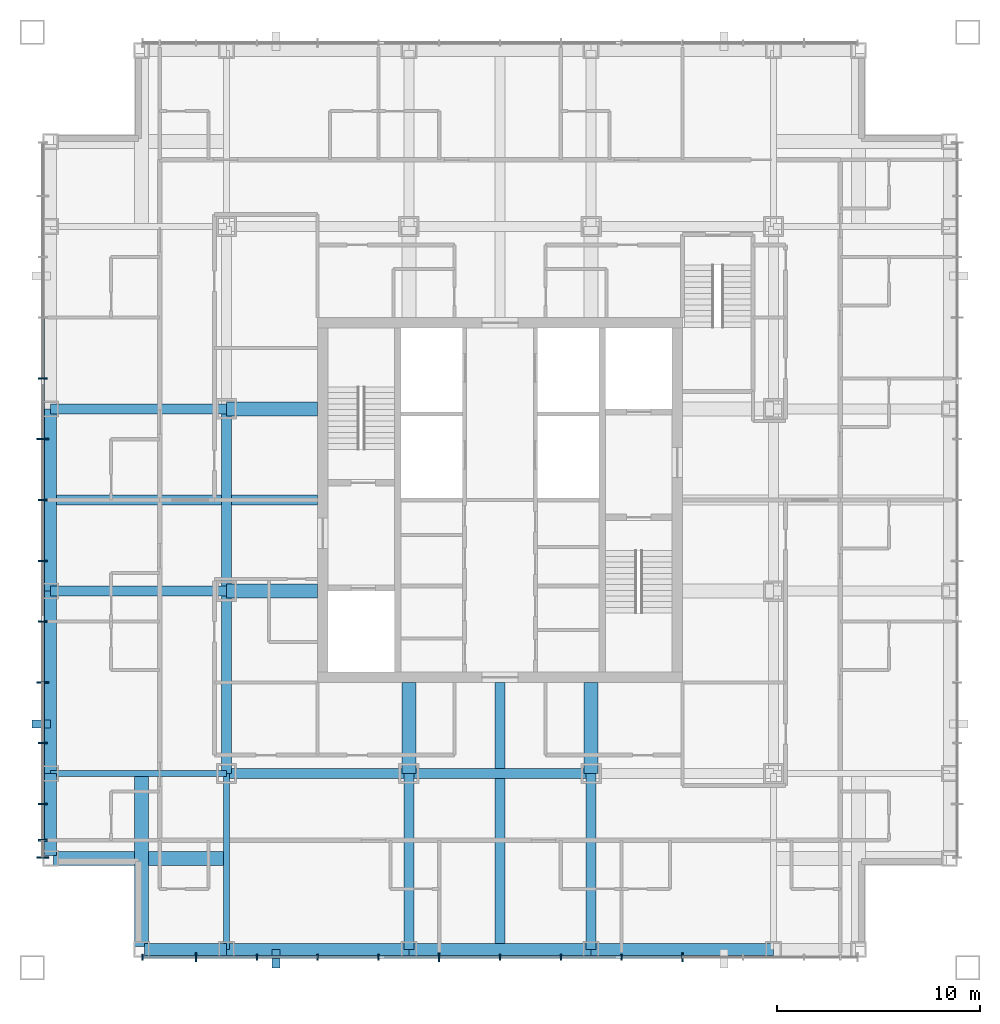
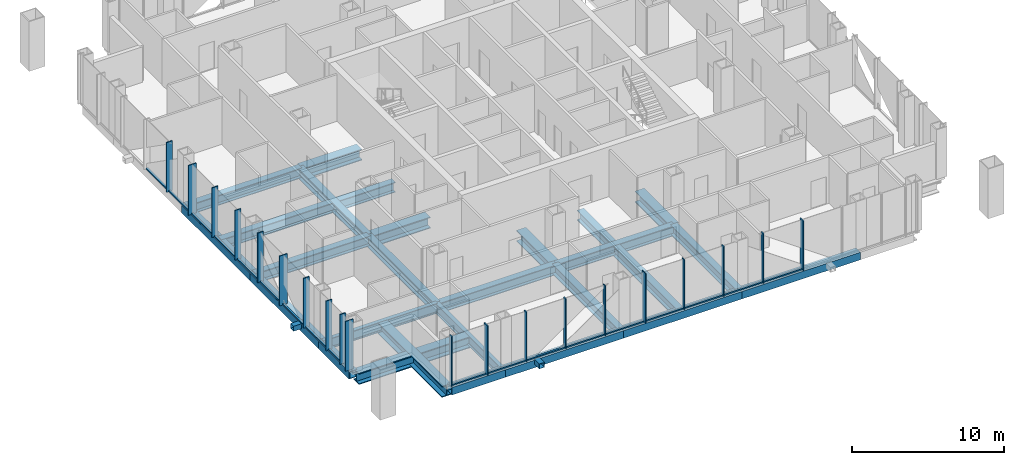
# One storey, part 2 of 17: 40 members, 25 beams, 2 elements without a shape of their own.
"""IFC4 building model written with IfcOpenShell, lengths in metres."""

from ifc_helpers import new_model, si_unit, direction, frame, origin, origin_2d, place, context, subcontext, project, spatial, rectangle, hollow_rectangle, i_section, extrude, material, layer, layer_set, material_profile, profile_set, type_object, element, aggregate, save


model = new_model("IFC4")

# Units and contexts
model_context = context("Model", 3, precision=1e-05, world=origin(), true_north=direction((0.0, 1.0)))
body_context = subcontext(model_context, "Body", "Model", "MODEL_VIEW")
ifc_project = project(units=[si_unit("LENGTHUNIT", "METRE"), si_unit("AREAUNIT", "SQUARE_METRE"), si_unit("VOLUMEUNIT", "CUBIC_METRE"), si_unit("PLANEANGLEUNIT", "RADIAN"), si_unit("MASSUNIT", "GRAM", prefix="KILO")], contexts=[model_context])

# Site, building, storey
site_placement = place(None, origin())
site = spatial("IfcSite", under=ifc_project, at=site_placement, CompositionType="ELEMENT")
building_placement = place(site_placement, origin())
building = spatial("IfcBuilding", under=site, at=building_placement, Name="Malebo Sky Hospital", CompositionType="ELEMENT")
storey_placement = place(building_placement, frame((0.0, 0.0, 185.0)))
storey = spatial("IfcBuildingStorey", under=building, at=storey_placement, Name="L44", CompositionType="ELEMENT", Elevation=185.0)

# Curtain wall, members
ifc_material_1 = material(Name="Anodised aluminium, natural silver", Category="aluminium")
ifc_layer_1 = layer(ifc_material_1, 0.25)
ifc_layer_set_1 = layer_set([ifc_layer_1], Name="WARD CURTAIN WALL EAST AND WEST")
curtain_wall_type_1 = type_object("IfcCurtainWallType", Name="WARD CURTAIN WALL EAST AND WEST", PredefinedType="NOTDEFINED", material=ifc_layer_set_1)
curtain_wall_1_placement = place(storey_placement, origin())
curtain_wall_1 = element("IfcCurtainWall", 1, at=curtain_wall_1_placement, inside=storey, type_object=curtain_wall_type_1, Name="EW curtain wall W", PredefinedType="NOTDEFINED")
ifc_material_profile_1 = material_profile(ifc_material_1, rectangle(XDim=0.14990234375, YDim=0.10009765625, at=origin_2d()), Name="ALUMINIUM TRANSOM 150x100")
ifc_profile_set_1 = profile_set([ifc_material_profile_1], Name="Anodised aluminium, natural silver")
member_type_1 = type_object("IfcMemberType", Name="ALUMINIUM TRANSOM 150x100", PredefinedType="USERDEFINED", material=ifc_profile_set_1)
member_1_placement = place(storey_placement, frame((37.425048828125, 45.237548828125, 0.050048828125), z_axis=(0.0, 1.0, 0.0), x_axis=(-1.0, 0.0, 0.0)))
member_1 = element("IfcMember", 2, at=member_1_placement, type_object=member_type_1, Name="Transom 2", ObjectType="TRANSOM", PredefinedType="USERDEFINED", context=body_context, shape_type="SweptSolid", body=[
    extrude(rectangle(XDim=0.14990234375, YDim=0.10009765625, at=origin_2d()), origin(), (0.0, 0.0, 1.0), 1.724853515625),
])
member_2_placement = place(storey_placement, frame((37.425048828125, 47.03759765625, 0.050048828125), z_axis=(0.0, 1.0, 0.0), x_axis=(-1.0, 0.0, 0.0)))
member_2 = element("IfcMember", 3, at=member_2_placement, type_object=member_type_1, Name="Transom 3", ObjectType="TRANSOM", PredefinedType="USERDEFINED", context=body_context, shape_type="SweptSolid", body=[
    extrude(rectangle(XDim=0.14990234375, YDim=0.10009765625, at=origin_2d()), origin(), (0.0, 0.0, 1.0), 2.9248046875),
])
member_3_placement = place(storey_placement, frame((37.425048828125, 50.03759765625, 0.050048828125), z_axis=(0.0, 1.0, 0.0), x_axis=(-1.0, 0.0, 0.0)))
member_3 = element("IfcMember", 4, at=member_3_placement, type_object=member_type_1, Name="Transom 4", ObjectType="TRANSOM", PredefinedType="USERDEFINED", context=body_context, shape_type="SweptSolid", body=[
    extrude(rectangle(XDim=0.14990234375, YDim=0.10009765625, at=origin_2d()), origin(), (0.0, 0.0, 1.0), 2.9248046875),
])
member_4_placement = place(storey_placement, frame((37.425048828125, 53.03759765625, 0.050048828125), z_axis=(0.0, 1.0, 0.0), x_axis=(-1.0, 0.0, 0.0)))
member_4 = element("IfcMember", 5, at=member_4_placement, type_object=member_type_1, Name="Transom 5", ObjectType="TRANSOM", PredefinedType="USERDEFINED", context=body_context, shape_type="SweptSolid", body=[
    extrude(rectangle(XDim=0.14990234375, YDim=0.10009765625, at=origin_2d()), origin(), (0.0, 0.0, 1.0), 2.9248046875),
])
member_5_placement = place(storey_placement, frame((37.425048828125, 56.03759765625, 0.050048828125), z_axis=(0.0, 1.0, 0.0), x_axis=(-1.0, 0.0, 0.0)))
member_5 = element("IfcMember", 6, at=member_5_placement, type_object=member_type_1, Name="Transom 6", ObjectType="TRANSOM", PredefinedType="USERDEFINED", context=body_context, shape_type="SweptSolid", body=[
    extrude(rectangle(XDim=0.14990234375, YDim=0.10009765625, at=origin_2d()), origin(), (0.0, 0.0, 1.0), 2.9248046875),
])
member_6_placement = place(storey_placement, frame((37.425048828125, 59.03759765625, 0.050048828125), z_axis=(0.0, 1.0, 0.0), x_axis=(-1.0, 0.0, 0.0)))
member_6 = element("IfcMember", 7, at=member_6_placement, type_object=member_type_1, Name="Transom 7", ObjectType="TRANSOM", PredefinedType="USERDEFINED", context=body_context, shape_type="SweptSolid", body=[
    extrude(rectangle(XDim=0.14990234375, YDim=0.10009765625, at=origin_2d()), origin(), (0.0, 0.0, 1.0), 2.9248046875),
])
member_7_placement = place(storey_placement, frame((37.425048828125, 62.03759765625, 0.050048828125), z_axis=(0.0, 1.0, 0.0), x_axis=(-1.0, 0.0, 0.0)))
member_7 = element("IfcMember", 8, at=member_7_placement, type_object=member_type_1, Name="Transom 8", ObjectType="TRANSOM", PredefinedType="USERDEFINED", context=body_context, shape_type="SweptSolid", body=[
    extrude(rectangle(XDim=0.14990234375, YDim=0.10009765625, at=origin_2d()), origin(), (0.0, 0.0, 1.0), 2.9248046875),
])
member_8_placement = place(storey_placement, frame((37.425048828125, 65.03759765625, 0.050048828125), z_axis=(0.0, 1.0, 0.0), x_axis=(-1.0, 0.0, 0.0)))
member_8 = element("IfcMember", 9, at=member_8_placement, type_object=member_type_1, Name="Transom 9", ObjectType="TRANSOM", PredefinedType="USERDEFINED", context=body_context, shape_type="SweptSolid", body=[
    extrude(rectangle(XDim=0.14990234375, YDim=0.10009765625, at=origin_2d()), origin(), (0.0, 0.0, 1.0), 2.9248046875),
])
member_9_placement = place(storey_placement, frame((37.425048828125, 68.03759765625, 0.050048828125), z_axis=(0.0, 1.0, 0.0), x_axis=(-1.0, 0.0, 0.0)))
member_9 = element("IfcMember", 10, at=member_9_placement, type_object=member_type_1, Name="Transom 10", ObjectType="TRANSOM", PredefinedType="USERDEFINED", context=body_context, shape_type="SweptSolid", body=[
    extrude(rectangle(XDim=0.14990234375, YDim=0.10009765625, at=origin_2d()), origin(), (0.0, 0.0, 1.0), 2.9248046875),
])

ifc_layer_2 = layer(ifc_material_1, 0.25)
ifc_layer_set_2 = layer_set([ifc_layer_2], Name="WARD CURTAIN WALL NORTH AND SOUTH")
curtain_wall_type_2 = type_object("IfcCurtainWallType", Name="WARD CURTAIN WALL NORTH AND SOUTH", PredefinedType="NOTDEFINED", material=ifc_layer_set_2)
curtain_wall_2_placement = place(storey_placement, origin())
curtain_wall_2 = element("IfcCurtainWall", 11, at=curtain_wall_2_placement, inside=storey, type_object=curtain_wall_type_2, Name="NS curtain wall S", PredefinedType="NOTDEFINED")
member_10_placement = place(storey_placement, frame((68.96240234375, 39.425048828125, 0.050048828125), z_axis=(-1.0, 0.0, 0.0), x_axis=(0.0, -1.0, 0.0)))
member_10 = element("IfcMember", 12, at=member_10_placement, type_object=member_type_1, Name="Transom 5", ObjectType="TRANSOM", PredefinedType="USERDEFINED", context=body_context, shape_type="SweptSolid", body=[
    extrude(rectangle(XDim=0.14990234375, YDim=0.10009765625, at=origin_2d()), origin(), (0.0, 0.0, 1.0), 2.9248046875),
])
member_11_placement = place(storey_placement, frame((65.96240234375, 39.425048828125, 0.050048828125), z_axis=(-1.0, 0.0, 0.0), x_axis=(0.0, -1.0, 0.0)))
member_11 = element("IfcMember", 13, at=member_11_placement, type_object=member_type_1, Name="Transom 6", ObjectType="TRANSOM", PredefinedType="USERDEFINED", context=body_context, shape_type="SweptSolid", body=[
    extrude(rectangle(XDim=0.14990234375, YDim=0.10009765625, at=origin_2d()), origin(), (0.0, 0.0, 1.0), 2.9248046875),
])
member_12_placement = place(storey_placement, frame((62.96240234375, 39.425048828125, 0.050048828125), z_axis=(-1.0, 0.0, 0.0), x_axis=(0.0, -1.0, 0.0)))
member_12 = element("IfcMember", 14, at=member_12_placement, type_object=member_type_1, Name="Transom 7", ObjectType="TRANSOM", PredefinedType="USERDEFINED", context=body_context, shape_type="SweptSolid", body=[
    extrude(rectangle(XDim=0.14990234375, YDim=0.10009765625, at=origin_2d()), origin(), (0.0, 0.0, 1.0), 2.9248046875),
])
member_13_placement = place(storey_placement, frame((59.96240234375, 39.425048828125, 0.050048828125), z_axis=(-1.0, 0.0, 0.0), x_axis=(0.0, -1.0, 0.0)))
member_13 = element("IfcMember", 15, at=member_13_placement, type_object=member_type_1, Name="Transom 8", ObjectType="TRANSOM", PredefinedType="USERDEFINED", context=body_context, shape_type="SweptSolid", body=[
    extrude(rectangle(XDim=0.14990234375, YDim=0.10009765625, at=origin_2d()), origin(), (0.0, 0.0, 1.0), 2.9248046875),
])
member_14_placement = place(storey_placement, frame((56.96240234375, 39.425048828125, 0.050048828125), z_axis=(-1.0, 0.0, 0.0), x_axis=(0.0, -1.0, 0.0)))
member_14 = element("IfcMember", 16, at=member_14_placement, type_object=member_type_1, Name="Transom 9", ObjectType="TRANSOM", PredefinedType="USERDEFINED", context=body_context, shape_type="SweptSolid", body=[
    extrude(rectangle(XDim=0.14990234375, YDim=0.10009765625, at=origin_2d()), origin(), (0.0, 0.0, 1.0), 2.9248046875),
])
member_15_placement = place(storey_placement, frame((53.96240234375, 39.425048828125, 0.050048828125), z_axis=(-1.0, 0.0, 0.0), x_axis=(0.0, -1.0, 0.0)))
member_15 = element("IfcMember", 17, at=member_15_placement, type_object=member_type_1, Name="Transom 10", ObjectType="TRANSOM", PredefinedType="USERDEFINED", context=body_context, shape_type="SweptSolid", body=[
    extrude(rectangle(XDim=0.14990234375, YDim=0.10009765625, at=origin_2d()), origin(), (0.0, 0.0, 1.0), 2.9248046875),
])
member_16_placement = place(storey_placement, frame((50.96240234375, 39.425048828125, 0.050048828125), z_axis=(-1.0, 0.0, 0.0), x_axis=(0.0, -1.0, 0.0)))
member_16 = element("IfcMember", 18, at=member_16_placement, type_object=member_type_1, Name="Transom 11", ObjectType="TRANSOM", PredefinedType="USERDEFINED", context=body_context, shape_type="SweptSolid", body=[
    extrude(rectangle(XDim=0.14990234375, YDim=0.10009765625, at=origin_2d()), origin(), (0.0, 0.0, 1.0), 2.9248046875),
])
member_17_placement = place(storey_placement, frame((47.96240234375, 39.425048828125, 0.050048828125), z_axis=(-1.0, 0.0, 0.0), x_axis=(0.0, -1.0, 0.0)))
member_17 = element("IfcMember", 19, at=member_17_placement, type_object=member_type_1, Name="Transom 12", ObjectType="TRANSOM", PredefinedType="USERDEFINED", context=body_context, shape_type="SweptSolid", body=[
    extrude(rectangle(XDim=0.14990234375, YDim=0.10009765625, at=origin_2d()), origin(), (0.0, 0.0, 1.0), 2.9248046875),
])
member_18_placement = place(storey_placement, frame((44.96240234375, 39.425048828125, 0.050048828125), z_axis=(-1.0, 0.0, 0.0), x_axis=(0.0, -1.0, 0.0)))
member_18 = element("IfcMember", 20, at=member_18_placement, type_object=member_type_1, Name="Transom 13", ObjectType="TRANSOM", PredefinedType="USERDEFINED", context=body_context, shape_type="SweptSolid", body=[
    extrude(rectangle(XDim=0.14990234375, YDim=0.10009765625, at=origin_2d()), origin(), (0.0, 0.0, 1.0), 2.58740234375),
])

# Members
ifc_material_2 = material(Name="Steel S355", Category="steel")
ifc_material_profile_2 = material_profile(ifc_material_2, hollow_rectangle(XDim=0.39990234375, YDim=0.39990234375, WallThickness=0.02001953125, at=origin_2d()), Name="SHS 400x20")
ifc_profile_set_2 = profile_set([ifc_material_profile_2], Name="Steel S355")
member_type_2 = type_object("IfcMemberType", Name="BRACE STRUT SHS 400x20", PredefinedType="STRUT", material=ifc_profile_set_2)
for number, where, z_axis, x_axis, name in (
    (21, (48.930419921875, 38.89990234375, -0.39990234375), (0.0, 1.0, 0.0), (-1.0, 0.0, 0.0), "Brace strut CS1 L44"),
    (22, (36.89990234375, 50.930419921875, -0.39990234375), (1.0, 0.0, 0.0), (0.0, 1.0, 0.0), "Brace strut CW2 L44"),
):
    element("IfcMember", number, at=place(storey_placement, frame(where, z_axis=z_axis, x_axis=x_axis)), inside=storey, type_object=member_type_2, Name=name, PredefinedType="STRUT", context=body_context, shape_type="SweptSolid", body=[
        extrude(hollow_rectangle(XDim=0.39990234375, YDim=0.39990234375, WallThickness=0.02001953125, at=origin_2d()), origin(), (0.0, 0.0, 1.0), 0.900146484375),
    ])

# Member
ifc_material_profile_3 = material_profile(ifc_material_1, rectangle(XDim=0.074951171875, YDim=0.300048828125, at=origin_2d()), Name="CW1 ALUMINIUM FIN MULLION 75x300")
ifc_profile_set_3 = profile_set([ifc_material_profile_3], Name="Anodised aluminium, natural silver")
member_type_3 = type_object("IfcMemberType", Name="CW1 ALUMINIUM FIN MULLION 75x300", PredefinedType="MULLION", material=ifc_profile_set_3)
member_19_placement = place(storey_placement, frame((66.0, 39.425048828125, 0.0), z_axis=(0.0, 0.0, 1.0), x_axis=(-1.0, 0.0, 0.0)))
member_19 = element("IfcMember", 23, at=member_19_placement, type_object=member_type_3, Name="Fin mullion 6", PredefinedType="MULLION", context=body_context, shape_type="SweptSolid", body=[
    extrude(rectangle(XDim=0.074951171875, YDim=0.300048828125, at=origin_2d()), origin(), (0.0, 0.0, 1.0), 4.0),
])

member_20_placement = place(storey_placement, frame((63.0, 39.425048828125, 0.0), z_axis=(0.0, 0.0, 1.0), x_axis=(-1.0, 0.0, 0.0)))
member_20 = element("IfcMember", 24, at=member_20_placement, type_object=member_type_3, Name="Fin mullion 7", PredefinedType="MULLION", context=body_context, shape_type="SweptSolid", body=[
    extrude(rectangle(XDim=0.074951171875, YDim=0.300048828125, at=origin_2d()), origin(), (0.0, 0.0, 1.0), 4.0),
])

member_21_placement = place(storey_placement, frame((60.0, 39.425048828125, 0.0), z_axis=(0.0, 0.0, 1.0), x_axis=(-1.0, 0.0, 0.0)))
member_21 = element("IfcMember", 25, at=member_21_placement, type_object=member_type_3, Name="Fin mullion 8", PredefinedType="MULLION", context=body_context, shape_type="SweptSolid", body=[
    extrude(rectangle(XDim=0.074951171875, YDim=0.300048828125, at=origin_2d()), origin(), (0.0, 0.0, 1.0), 4.0),
])

member_22_placement = place(storey_placement, frame((54.0, 39.425048828125, 0.0), z_axis=(0.0, 0.0, 1.0), x_axis=(-1.0, 0.0, 0.0)))
member_22 = element("IfcMember", 26, at=member_22_placement, type_object=member_type_3, Name="Fin mullion 10", PredefinedType="MULLION", context=body_context, shape_type="SweptSolid", body=[
    extrude(rectangle(XDim=0.074951171875, YDim=0.300048828125, at=origin_2d()), origin(), (0.0, 0.0, 1.0), 4.0),
])

member_23_placement = place(storey_placement, frame((51.0, 39.425048828125, 0.0), z_axis=(0.0, 0.0, 1.0), x_axis=(-1.0, 0.0, 0.0)))
member_23 = element("IfcMember", 27, at=member_23_placement, type_object=member_type_3, Name="Fin mullion 11", PredefinedType="MULLION", context=body_context, shape_type="SweptSolid", body=[
    extrude(rectangle(XDim=0.074951171875, YDim=0.300048828125, at=origin_2d()), origin(), (0.0, 0.0, 1.0), 4.0),
])

member_24_placement = place(storey_placement, frame((48.0, 39.425048828125, 0.0), z_axis=(0.0, 0.0, 1.0), x_axis=(-1.0, 0.0, 0.0)))
member_24 = element("IfcMember", 28, at=member_24_placement, type_object=member_type_3, Name="Fin mullion 12", PredefinedType="MULLION", context=body_context, shape_type="SweptSolid", body=[
    extrude(rectangle(XDim=0.074951171875, YDim=0.300048828125, at=origin_2d()), origin(), (0.0, 0.0, 1.0), 4.0),
])

member_25_placement = place(storey_placement, frame((42.33740234375, 39.425048828125, 0.0), z_axis=(0.0, 0.0, 1.0), x_axis=(-1.0, 0.0, 0.0)))
member_25 = element("IfcMember", 29, at=member_25_placement, type_object=member_type_3, Name="Fin mullion 14", PredefinedType="MULLION", context=body_context, shape_type="SweptSolid", body=[
    extrude(rectangle(XDim=0.074951171875, YDim=0.300048828125, at=origin_2d()), origin(), (0.0, 0.0, 1.0), 4.0),
])

ifc_material_profile_4 = material_profile(ifc_material_1, rectangle(XDim=0.074951171875, YDim=0.449951171875, at=origin_2d()), Name="CW1 ALUMINIUM FIN MULLION 75x450")
ifc_profile_set_4 = profile_set([ifc_material_profile_4], Name="Anodised aluminium, natural silver")
member_type_4 = type_object("IfcMemberType", Name="CW1 ALUMINIUM FIN MULLION 75x450", PredefinedType="MULLION", material=ifc_profile_set_4)
member_26_placement = place(storey_placement, frame((69.0, 39.425048828125, 0.0), z_axis=(0.0, 0.0, 1.0), x_axis=(-1.0, 0.0, 0.0)))
member_26 = element("IfcMember", 30, at=member_26_placement, type_object=member_type_4, Name="Fin mullion 5", PredefinedType="MULLION", context=body_context, shape_type="SweptSolid", body=[
    extrude(rectangle(XDim=0.074951171875, YDim=0.449951171875, at=origin_2d()), origin(), (0.0, 0.0, 1.0), 4.0),
])

member_27_placement = place(storey_placement, frame((57.0, 39.425048828125, 0.0), z_axis=(0.0, 0.0, 1.0), x_axis=(-1.0, 0.0, 0.0)))
member_27 = element("IfcMember", 31, at=member_27_placement, type_object=member_type_4, Name="Fin mullion 9", PredefinedType="MULLION", context=body_context, shape_type="SweptSolid", body=[
    extrude(rectangle(XDim=0.074951171875, YDim=0.449951171875, at=origin_2d()), origin(), (0.0, 0.0, 1.0), 4.0),
])

member_28_placement = place(storey_placement, frame((45.0, 39.425048828125, 0.0), z_axis=(0.0, 0.0, 1.0), x_axis=(-1.0, 0.0, 0.0)))
member_28 = element("IfcMember", 32, at=member_28_placement, type_object=member_type_4, Name="Fin mullion 13", PredefinedType="MULLION", context=body_context, shape_type="SweptSolid", body=[
    extrude(rectangle(XDim=0.074951171875, YDim=0.449951171875, at=origin_2d()), origin(), (0.0, 0.0, 1.0), 4.0),
])

aggregate(curtain_wall_2, [member_26, member_19, member_20, member_21, member_27, member_22, member_23, member_24, member_28, member_25, member_10, member_11, member_12, member_13, member_14, member_15, member_16, member_17, member_18])

ifc_material_profile_5 = material_profile(ifc_material_1, rectangle(XDim=0.074951171875, YDim=0.449951171875, at=origin_2d()), Name="CW2 ALUMINIUM FIN MULLION 75x450")
ifc_profile_set_5 = profile_set([ifc_material_profile_5], Name="Anodised aluminium, natural silver")
member_type_5 = type_object("IfcMemberType", Name="CW2 ALUMINIUM FIN MULLION 75x450", PredefinedType="MULLION", material=ifc_profile_set_5)
member_29_placement = place(storey_placement, frame((37.425048828125, 45.199951171875, 0.0), z_axis=(0.0, 0.0, 1.0), x_axis=(0.0, 1.0, 0.0)))
member_29 = element("IfcMember", 33, at=member_29_placement, type_object=member_type_5, Name="Fin mullion 2", PredefinedType="MULLION", context=body_context, shape_type="SweptSolid", body=[
    extrude(rectangle(XDim=0.074951171875, YDim=0.449951171875, at=origin_2d()), origin(), (0.0, 0.0, 1.0), 4.0),
])

member_30_placement = place(storey_placement, frame((37.425048828125, 47.0, 0.0), z_axis=(0.0, 0.0, 1.0), x_axis=(0.0, 1.0, 0.0)))
member_30 = element("IfcMember", 34, at=member_30_placement, type_object=member_type_5, Name="Fin mullion 3", PredefinedType="MULLION", context=body_context, shape_type="SweptSolid", body=[
    extrude(rectangle(XDim=0.074951171875, YDim=0.449951171875, at=origin_2d()), origin(), (0.0, 0.0, 1.0), 4.0),
])

member_31_placement = place(storey_placement, frame((37.425048828125, 50.0, 0.0), z_axis=(0.0, 0.0, 1.0), x_axis=(0.0, 1.0, 0.0)))
member_31 = element("IfcMember", 35, at=member_31_placement, type_object=member_type_5, Name="Fin mullion 4", PredefinedType="MULLION", context=body_context, shape_type="SweptSolid", body=[
    extrude(rectangle(XDim=0.074951171875, YDim=0.449951171875, at=origin_2d()), origin(), (0.0, 0.0, 1.0), 4.0),
])

member_32_placement = place(storey_placement, frame((37.425048828125, 56.0, 0.0), z_axis=(0.0, 0.0, 1.0), x_axis=(0.0, 1.0, 0.0)))
member_32 = element("IfcMember", 36, at=member_32_placement, type_object=member_type_5, Name="Fin mullion 6", PredefinedType="MULLION", context=body_context, shape_type="SweptSolid", body=[
    extrude(rectangle(XDim=0.074951171875, YDim=0.449951171875, at=origin_2d()), origin(), (0.0, 0.0, 1.0), 4.0),
])

member_33_placement = place(storey_placement, frame((37.425048828125, 59.0, 0.0), z_axis=(0.0, 0.0, 1.0), x_axis=(0.0, 1.0, 0.0)))
member_33 = element("IfcMember", 37, at=member_33_placement, type_object=member_type_5, Name="Fin mullion 7", PredefinedType="MULLION", context=body_context, shape_type="SweptSolid", body=[
    extrude(rectangle(XDim=0.074951171875, YDim=0.449951171875, at=origin_2d()), origin(), (0.0, 0.0, 1.0), 4.0),
])

member_34_placement = place(storey_placement, frame((37.425048828125, 62.0, 0.0), z_axis=(0.0, 0.0, 1.0), x_axis=(0.0, 1.0, 0.0)))
member_34 = element("IfcMember", 38, at=member_34_placement, type_object=member_type_5, Name="Fin mullion 8", PredefinedType="MULLION", context=body_context, shape_type="SweptSolid", body=[
    extrude(rectangle(XDim=0.074951171875, YDim=0.449951171875, at=origin_2d()), origin(), (0.0, 0.0, 1.0), 4.0),
])

member_35_placement = place(storey_placement, frame((37.425048828125, 68.0, 0.0), z_axis=(0.0, 0.0, 1.0), x_axis=(0.0, 1.0, 0.0)))
member_35 = element("IfcMember", 39, at=member_35_placement, type_object=member_type_5, Name="Fin mullion 10", PredefinedType="MULLION", context=body_context, shape_type="SweptSolid", body=[
    extrude(rectangle(XDim=0.074951171875, YDim=0.449951171875, at=origin_2d()), origin(), (0.0, 0.0, 1.0), 4.0),
])

ifc_material_profile_6 = material_profile(ifc_material_1, rectangle(XDim=0.074951171875, YDim=0.60009765625, at=origin_2d()), Name="CW2 ALUMINIUM FIN MULLION 75x600")
ifc_profile_set_6 = profile_set([ifc_material_profile_6], Name="Anodised aluminium, natural silver")
member_type_6 = type_object("IfcMemberType", Name="CW2 ALUMINIUM FIN MULLION 75x600", PredefinedType="MULLION", material=ifc_profile_set_6)
member_36_placement = place(storey_placement, frame((37.425048828125, 44.33740234375, 0.0), z_axis=(0.0, 0.0, 1.0), x_axis=(0.0, 1.0, 0.0)))
member_36 = element("IfcMember", 40, at=member_36_placement, type_object=member_type_6, Name="Fin mullion 1", PredefinedType="MULLION", context=body_context, shape_type="SweptSolid", body=[
    extrude(rectangle(XDim=0.074951171875, YDim=0.60009765625, at=origin_2d()), origin(), (0.0, 0.0, 1.0), 4.0),
])

member_37_placement = place(storey_placement, frame((37.425048828125, 53.0, 0.0), z_axis=(0.0, 0.0, 1.0), x_axis=(0.0, 1.0, 0.0)))
member_37 = element("IfcMember", 41, at=member_37_placement, type_object=member_type_6, Name="Fin mullion 5", PredefinedType="MULLION", context=body_context, shape_type="SweptSolid", body=[
    extrude(rectangle(XDim=0.074951171875, YDim=0.60009765625, at=origin_2d()), origin(), (0.0, 0.0, 1.0), 4.0),
])

member_38_placement = place(storey_placement, frame((37.425048828125, 65.0, 0.0), z_axis=(0.0, 0.0, 1.0), x_axis=(0.0, 1.0, 0.0)))
member_38 = element("IfcMember", 42, at=member_38_placement, type_object=member_type_6, Name="Fin mullion 9", PredefinedType="MULLION", context=body_context, shape_type="SweptSolid", body=[
    extrude(rectangle(XDim=0.074951171875, YDim=0.60009765625, at=origin_2d()), origin(), (0.0, 0.0, 1.0), 4.0),
])

aggregate(curtain_wall_1, [member_36, member_29, member_30, member_31, member_37, member_32, member_33, member_34, member_38, member_35, member_1, member_2, member_3, member_4, member_5, member_6, member_7, member_8, member_9])

# Beams
ifc_material_3 = material(Name="Steel S460", Category="steel")
ifc_material_profile_7 = material_profile(ifc_material_3, hollow_rectangle(XDim=0.60009765625, YDim=0.60009765625, WallThickness=0.0400390625, at=origin_2d()), Name="BOX 600x600x40")
ifc_profile_set_7 = profile_set([ifc_material_profile_7], Name="Steel S460")
beam_type_1 = type_object("IfcBeamType", Name="EDGE BEAM BOX 600x600x40", PredefinedType="BEAM", material=ifc_profile_set_7)
beam_1_placement = place(storey_placement, frame((37.800048828125, 44.449951171875, -0.550048828125), z_axis=(0.0, 1.0, 0.0), x_axis=(-1.0, 0.0, 0.0)))
element("IfcBeam", 43, at=beam_1_placement, inside=storey, type_object=beam_type_1, Name="Beam 000 L44", PredefinedType="BEAM", context=body_context, shape_type="SweptSolid", body=[
    extrude(hollow_rectangle(XDim=0.60009765625, YDim=0.60009765625, WallThickness=0.0400390625, at=origin_2d()), origin(), (0.0, 0.0, 1.0), 4.050048828125),
])
for number, where, z_axis, x_axis, name in (
    (44, (37.800048828125, 48.5, -0.550048828125), (0.0, 1.0, 0.0), (-1.0, 0.0, 0.0), "Beam 001 L44"),
    (45, (37.800048828125, 57.5, -0.550048828125), (0.0, 1.0, 0.0), (-1.0, 0.0, 0.0), "Beam 002 L44"),
):
    element("IfcBeam", number, at=place(storey_placement, frame(where, z_axis=z_axis, x_axis=x_axis)), inside=storey, type_object=beam_type_1, Name=name, PredefinedType="BEAM", context=body_context, shape_type="SweptSolid", body=[
        extrude(hollow_rectangle(XDim=0.60009765625, YDim=0.60009765625, WallThickness=0.0400390625, at=origin_2d()), origin(), (0.0, 0.0, 1.0), 9.0),
    ])
beam_2_placement = place(storey_placement, frame((42.449951171875, 39.800048828125, -0.550048828125), z_axis=(1.0, 0.0, 0.0), x_axis=(0.0, 1.0, 0.0)))
element("IfcBeam", 46, at=beam_2_placement, inside=storey, type_object=beam_type_1, Name="Beam 034 L44", PredefinedType="BEAM", context=body_context, shape_type="SweptSolid", body=[
    extrude(hollow_rectangle(XDim=0.60009765625, YDim=0.60009765625, WallThickness=0.0400390625, at=origin_2d()), origin(), (0.0, 0.0, 1.0), 4.050048828125),
])
for number, where, z_axis, x_axis, name in (
    (47, (46.5, 39.800048828125, -0.550048828125), (1.0, 0.0, 0.0), (0.0, 1.0, 0.0), "Beam 035 L44"),
    (48, (55.5, 39.800048828125, -0.550048828125), (1.0, 0.0, 0.0), (0.0, 1.0, 0.0), "Beam 036 L44"),
    (49, (64.5, 39.800048828125, -0.550048828125), (1.0, 0.0, 0.0), (0.0, 1.0, 0.0), "Beam 037 L44"),
):
    element("IfcBeam", number, at=place(storey_placement, frame(where, z_axis=z_axis, x_axis=x_axis)), inside=storey, type_object=beam_type_1, Name=name, PredefinedType="BEAM", context=body_context, shape_type="SweptSolid", body=[
        extrude(hollow_rectangle(XDim=0.60009765625, YDim=0.60009765625, WallThickness=0.0400390625, at=origin_2d()), origin(), (0.0, 0.0, 1.0), 9.0),
    ])
ifc_material_profile_8 = material_profile(ifc_material_2, i_section(OverallWidth=0.5, OverallDepth=0.800048828125, WebThickness=0.030029296875, FlangeThickness=0.050048828125, at=origin_2d()), Name="PG 800x500x30x50")
ifc_profile_set_8 = profile_set([ifc_material_profile_8], Name="Steel S355")
beam_type_2 = type_object("IfcBeamType", Name="FLOOR BEAM PG 800x500x30x50", PredefinedType="BEAM", material=ifc_profile_set_8)
beam_3_placement = place(storey_placement, frame((46.5, 48.5, -0.64990234375), z_axis=(0.0, 1.0, 0.0), x_axis=(-1.0, 0.0, 0.0)))
element("IfcBeam", 50, at=beam_3_placement, inside=storey, type_object=beam_type_2, Name="Beam 008 L44", PredefinedType="BEAM", context=body_context, shape_type="SweptSolid", body=[
    extrude(i_section(OverallWidth=0.5, OverallDepth=0.800048828125, WebThickness=0.030029296875, FlangeThickness=0.050048828125, at=origin_2d()), origin(), (0.0, 0.0, 1.0), 9.0),
])
beam_4_placement = place(storey_placement, frame((55.5, 39.800048828125, -0.64990234375), z_axis=(0.0, 1.0, 0.0), x_axis=(-1.0, 0.0, 0.0)))
element("IfcBeam", 51, at=beam_4_placement, inside=storey, type_object=beam_type_2, Name="Beam 012 L44", PredefinedType="BEAM", context=body_context, shape_type="SweptSolid", body=[
    extrude(i_section(OverallWidth=0.5, OverallDepth=0.800048828125, WebThickness=0.030029296875, FlangeThickness=0.050048828125, at=origin_2d()), origin(), (0.0, 0.0, 1.0), 8.699951171875),
])
beam_5_placement = place(storey_placement, frame((60.0, 39.800048828125, -0.64990234375), z_axis=(0.0, 1.0, 0.0), x_axis=(-1.0, 0.0, 0.0)))
element("IfcBeam", 52, at=beam_5_placement, inside=storey, type_object=beam_type_2, Name="Beam 016 L44", PredefinedType="BEAM", context=body_context, shape_type="SweptSolid", body=[
    extrude(i_section(OverallWidth=0.5, OverallDepth=0.800048828125, WebThickness=0.030029296875, FlangeThickness=0.050048828125, at=origin_2d()), origin(), (0.0, 0.0, 1.0), 13.199951171875),
])
beam_6_placement = place(storey_placement, frame((64.5, 39.800048828125, -0.64990234375), z_axis=(0.0, 1.0, 0.0), x_axis=(-1.0, 0.0, 0.0)))
element("IfcBeam", 53, at=beam_6_placement, inside=storey, type_object=beam_type_2, Name="Beam 018 L44", PredefinedType="BEAM", context=body_context, shape_type="SweptSolid", body=[
    extrude(i_section(OverallWidth=0.5, OverallDepth=0.800048828125, WebThickness=0.030029296875, FlangeThickness=0.050048828125, at=origin_2d()), origin(), (0.0, 0.0, 1.0), 8.699951171875),
])
beam_7_placement = place(storey_placement, frame((46.5, 48.5, -0.64990234375), z_axis=(1.0, 0.0, 0.0), x_axis=(0.0, 1.0, 0.0)))
element("IfcBeam", 54, at=beam_7_placement, inside=storey, type_object=beam_type_2, Name="Beam 042 L44", PredefinedType="BEAM", context=body_context, shape_type="SweptSolid", body=[
    extrude(i_section(OverallWidth=0.5, OverallDepth=0.800048828125, WebThickness=0.030029296875, FlangeThickness=0.050048828125, at=origin_2d()), origin(), (0.0, 0.0, 1.0), 9.0),
])
beam_8_placement = place(storey_placement, frame((37.800048828125, 57.5, -0.64990234375), z_axis=(1.0, 0.0, 0.0), x_axis=(0.0, 1.0, 0.0)))
element("IfcBeam", 55, at=beam_8_placement, inside=storey, type_object=beam_type_2, Name="Beam 046 L44", PredefinedType="BEAM", context=body_context, shape_type="SweptSolid", body=[
    extrude(i_section(OverallWidth=0.5, OverallDepth=0.800048828125, WebThickness=0.030029296875, FlangeThickness=0.050048828125, at=origin_2d()), origin(), (0.0, 0.0, 1.0), 8.699951171875),
])
beam_9_placement = place(storey_placement, frame((37.800048828125, 62.0, -0.64990234375), z_axis=(1.0, 0.0, 0.0), x_axis=(0.0, 1.0, 0.0)))
element("IfcBeam", 56, at=beam_9_placement, inside=storey, type_object=beam_type_2, Name="Beam 050 L44", PredefinedType="BEAM", context=body_context, shape_type="SweptSolid", body=[
    extrude(i_section(OverallWidth=0.5, OverallDepth=0.800048828125, WebThickness=0.030029296875, FlangeThickness=0.050048828125, at=origin_2d()), origin(), (0.0, 0.0, 1.0), 13.199951171875),
])
beam_10_placement = place(storey_placement, frame((37.800048828125, 66.5, -0.64990234375), z_axis=(1.0, 0.0, 0.0), x_axis=(0.0, 1.0, 0.0)))
element("IfcBeam", 57, at=beam_10_placement, inside=storey, type_object=beam_type_2, Name="Beam 052 L44", PredefinedType="BEAM", context=body_context, shape_type="SweptSolid", body=[
    extrude(i_section(OverallWidth=0.5, OverallDepth=0.800048828125, WebThickness=0.030029296875, FlangeThickness=0.050048828125, at=origin_2d()), origin(), (0.0, 0.0, 1.0), 8.699951171875),
])
ifc_material_profile_9 = material_profile(ifc_material_2, i_section(OverallWidth=0.699951171875, OverallDepth=0.89990234375, WebThickness=0.0400390625, FlangeThickness=0.070068359375, at=origin_2d()), Name="PG 900x700x40x70")
ifc_profile_set_9 = profile_set([ifc_material_profile_9], Name="Steel S355")
beam_type_3 = type_object("IfcBeamType", Name="FLOOR BEAM PG 900x700x40x70", PredefinedType="BEAM", material=ifc_profile_set_9)
beam_11_placement = place(storey_placement, frame((42.300048828125, 39.949951171875, -0.699951171875), z_axis=(0.0, 1.0, 0.0), x_axis=(-1.0, 0.0, 0.0)))
element("IfcBeam", 58, at=beam_11_placement, inside=storey, type_object=beam_type_3, Name="Beam 005 L44", PredefinedType="BEAM", context=body_context, shape_type="SweptSolid", body=[
    extrude(i_section(OverallWidth=0.699951171875, OverallDepth=0.89990234375, WebThickness=0.0400390625, FlangeThickness=0.070068359375, at=origin_2d()), origin(), (0.0, 0.0, 1.0), 8.550048828125),
])
for number, where, z_axis, x_axis, name in (
    (59, (55.5, 48.5, -0.699951171875), (0.0, 1.0, 0.0), (-1.0, 0.0, 0.0), "Beam 013 L44"),
    (60, (64.5, 48.5, -0.699951171875), (0.0, 1.0, 0.0), (-1.0, 0.0, 0.0), "Beam 019 L44"),
):
    element("IfcBeam", number, at=place(storey_placement, frame(where, z_axis=z_axis, x_axis=x_axis)), inside=storey, type_object=beam_type_3, Name=name, PredefinedType="BEAM", context=body_context, shape_type="SweptSolid", body=[
        extrude(i_section(OverallWidth=0.699951171875, OverallDepth=0.89990234375, WebThickness=0.0400390625, FlangeThickness=0.070068359375, at=origin_2d()), origin(), (0.0, 0.0, 1.0), 4.5),
    ])
beam_12_placement = place(storey_placement, frame((37.949951171875, 44.300048828125, -0.699951171875), z_axis=(1.0, 0.0, 0.0), x_axis=(0.0, 1.0, 0.0)))
element("IfcBeam", 61, at=beam_12_placement, inside=storey, type_object=beam_type_3, Name="Beam 039 L44", PredefinedType="BEAM", context=body_context, shape_type="SweptSolid", body=[
    extrude(i_section(OverallWidth=0.699951171875, OverallDepth=0.89990234375, WebThickness=0.0400390625, FlangeThickness=0.070068359375, at=origin_2d()), origin(), (0.0, 0.0, 1.0), 8.550048828125),
])
for number, where, z_axis, x_axis, name in (
    (62, (46.5, 57.5, -0.699951171875), (1.0, 0.0, 0.0), (0.0, 1.0, 0.0), "Beam 047 L44"),
    (63, (46.5, 66.5, -0.699951171875), (1.0, 0.0, 0.0), (0.0, 1.0, 0.0), "Beam 053 L44"),
):
    element("IfcBeam", number, at=place(storey_placement, frame(where, z_axis=z_axis, x_axis=x_axis)), inside=storey, type_object=beam_type_3, Name=name, PredefinedType="BEAM", context=body_context, shape_type="SweptSolid", body=[
        extrude(i_section(OverallWidth=0.699951171875, OverallDepth=0.89990234375, WebThickness=0.0400390625, FlangeThickness=0.070068359375, at=origin_2d()), origin(), (0.0, 0.0, 1.0), 4.5),
    ])
ifc_material_profile_10 = material_profile(ifc_material_2, i_section(OverallWidth=0.300048828125, OverallDepth=0.800048828125, WebThickness=0.017578125, FlangeThickness=0.032958984375, FilletRadius=0.030029296875, at=origin_2d()), Name="HEB 800")
ifc_profile_set_10 = profile_set([ifc_material_profile_10], Name="Steel S355")
beam_type_4 = type_object("IfcBeamType", Name="FLOOR GIRDER HEB 800", PredefinedType="BEAM", material=ifc_profile_set_10)
for number, where, z_axis, x_axis, name in (
    (64, (46.5, 39.800048828125, -0.64990234375), (0.0, 1.0, 0.0), (-1.0, 0.0, 0.0), "Beam 007 L44"),
    (65, (37.800048828125, 48.5, -0.64990234375), (1.0, 0.0, 0.0), (0.0, 1.0, 0.0), "Beam 041 L44"),
):
    element("IfcBeam", number, at=place(storey_placement, frame(where, z_axis=z_axis, x_axis=x_axis)), inside=storey, type_object=beam_type_4, Name=name, PredefinedType="BEAM", context=body_context, shape_type="SweptSolid", body=[
        extrude(i_section(OverallWidth=0.300048828125, OverallDepth=0.800048828125, WebThickness=0.017578125, FlangeThickness=0.032958984375, FilletRadius=0.030029296875, at=origin_2d()), origin(), (0.0, 0.0, 1.0), 8.699951171875),
    ])
ifc_material_profile_11 = material_profile(ifc_material_2, i_section(OverallWidth=0.5, OverallDepth=0.800048828125, WebThickness=0.030029296875, FlangeThickness=0.050048828125, at=origin_2d()), Name="PG 800x500x30x50")
ifc_profile_set_11 = profile_set([ifc_material_profile_11], Name="Steel S355")
beam_type_5 = type_object("IfcBeamType", Name="RING GIRDER PG 800x500x30x50", PredefinedType="BEAM", material=ifc_profile_set_11)
for number, where, z_axis, x_axis, name in (
    (66, (46.5, 57.5, -0.64990234375), (0.0, 1.0, 0.0), (-1.0, 0.0, 0.0), "Beam 009 L44"),
    (67, (55.5, 48.5, -0.64990234375), (1.0, 0.0, 0.0), (0.0, 1.0, 0.0), "Beam 043 L44"),
):
    element("IfcBeam", number, at=place(storey_placement, frame(where, z_axis=z_axis, x_axis=x_axis)), inside=storey, type_object=beam_type_5, Name=name, PredefinedType="BEAM", context=body_context, shape_type="SweptSolid", body=[
        extrude(i_section(OverallWidth=0.5, OverallDepth=0.800048828125, WebThickness=0.030029296875, FlangeThickness=0.050048828125, at=origin_2d()), origin(), (0.0, 0.0, 1.0), 9.0),
    ])

save(model, "model.ifc")
